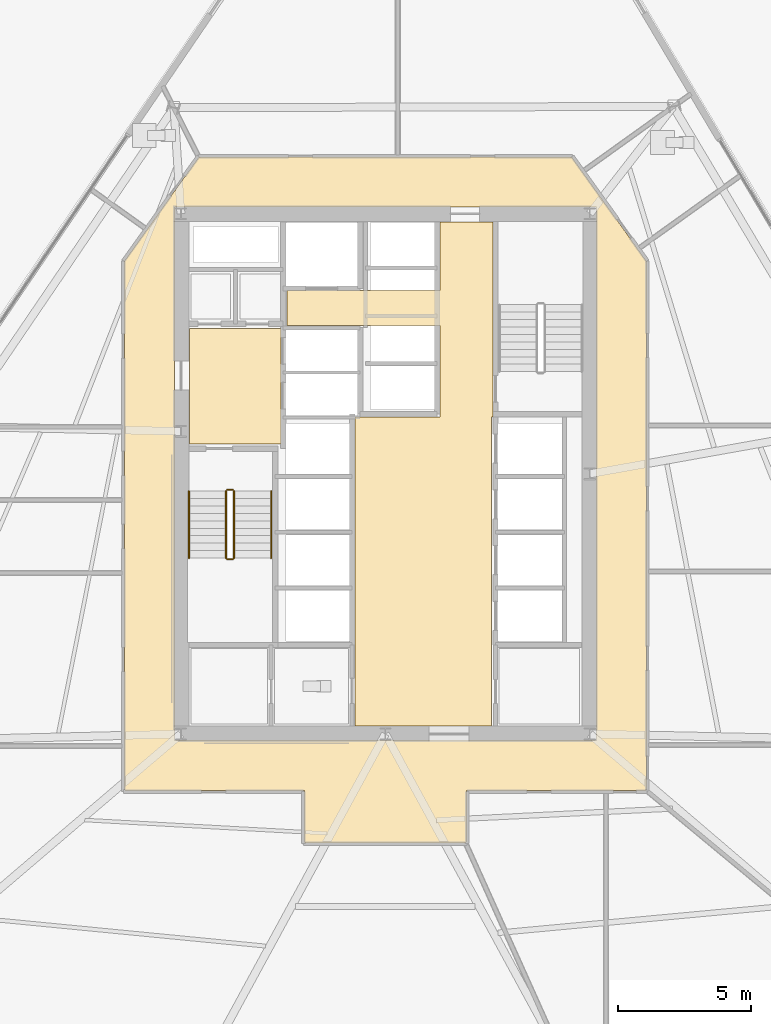
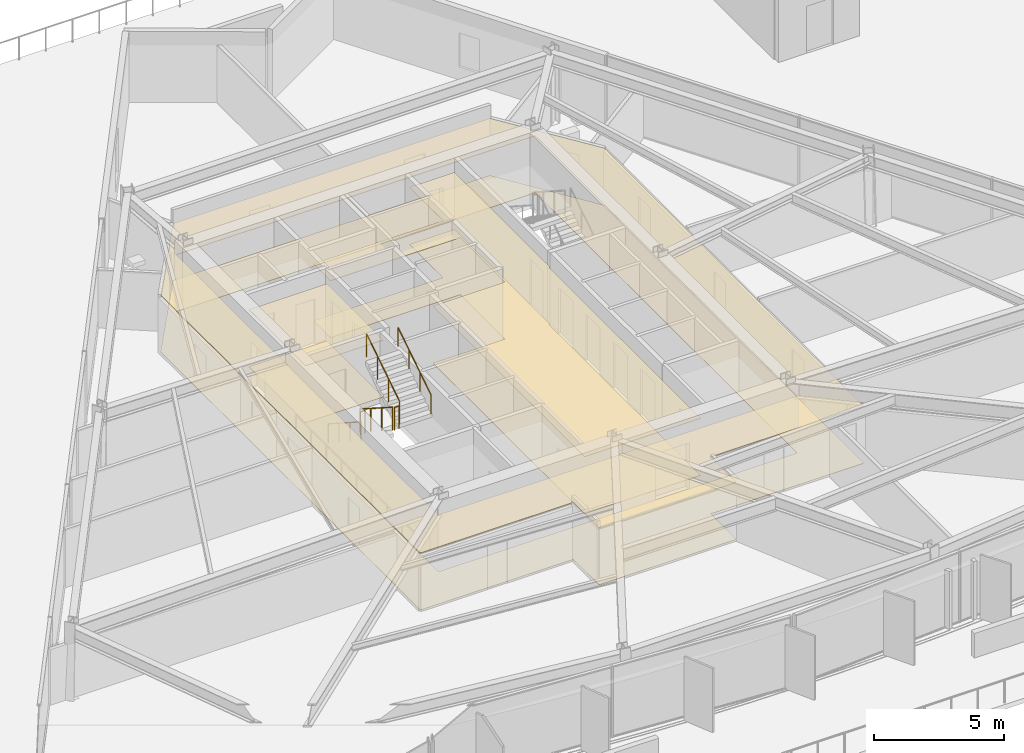
# One storey, part 15 of 19: 6 coverings, 6 railings.
"""IFC4 building model written with IfcOpenShell, lengths in metres."""

from ifc_helpers import new_model, si_unit, direction, frame, origin, origin_2d, place, context, subcontext, project, spatial, polyline, circle, outline, extrude, material, layer, layer_set, type_object, element, save


model = new_model("IFC4")

# Units and contexts
model_context = context("Model", 3, precision=1e-05, world=origin(), true_north=direction((0.0, 1.0)))
body_context = subcontext(model_context, "Body", "Model", "MODEL_VIEW")
ifc_project = project(units=[si_unit("LENGTHUNIT", "METRE"), si_unit("AREAUNIT", "SQUARE_METRE"), si_unit("VOLUMEUNIT", "CUBIC_METRE"), si_unit("PLANEANGLEUNIT", "RADIAN"), si_unit("MASSUNIT", "GRAM", prefix="KILO")], contexts=[model_context])

# Site, building, storey
site_placement = place(None, origin())
site = spatial("IfcSite", under=ifc_project, at=site_placement, CompositionType="ELEMENT")
building_placement = place(site_placement, origin())
building = spatial("IfcBuilding", under=site, at=building_placement, Name="Savorim Split Tower", CompositionType="ELEMENT")
storey_placement = place(building_placement, frame((0.0, 0.0, 26.39990234375)))
storey = spatial("IfcBuildingStorey", under=building, at=storey_placement, Name="L06", CompositionType="ELEMENT", Elevation=26.39990234375)

# Coverings
ifc_material_1 = material(Name="Mineral Fibre Acoustic Ceiling")
ifc_layer_1 = layer(ifc_material_1, 0.02490234375)
ifc_layer_set_1 = layer_set([ifc_layer_1], Name="COV-CEIL-25")
covering_type_1 = type_object("IfcCoveringType", Name="COV-CEIL-25", PredefinedType="CEILING", material=ifc_layer_set_1)
covering_1_placement = place(storey_placement, frame((0.0, 0.0, 2.670166015625)))
element("IfcCovering", 1, at=covering_1_placement, inside=storey, type_object=covering_type_1, Name="L06 Firefighting Lift Lobby Acoustic Ceiling", PredefinedType="CEILING", context=body_context, shape_type="SweptSolid", body=[
    extrude(outline(polyline([(-7.3798828125, 5.8701171875), (-7.3798828125, 1.530029296875), (-3.929931640625, 1.530029296875), (-3.929931640625, 5.8701171875), (-7.3798828125, 5.8701171875)])), origin(), (0.0, 0.0, 1.0), 0.02490234375),
])
covering_2_placement = place(storey_placement, frame((0.0, 0.0, 2.670166015625)))
element("IfcCovering", 2, at=covering_2_placement, inside=storey, type_object=covering_type_1, Name="L06 Lift Lobby Acoustic Ceiling", PredefinedType="CEILING", context=body_context, shape_type="SweptSolid", body=[
    extrude(outline(polyline([(2.050048828125, 2.550048828125), (-1.14990234375, 2.550048828125), (-1.14990234375, -9.10009765625), (4.0, -9.10009765625), (4.0, 2.550048828125), (4.050048828125, 2.550048828125), (4.050048828125, 5.97998046875), (4.050048828125, 7.300048828125), (4.050048828125, 9.8798828125), (2.050048828125, 9.8798828125), (2.050048828125, 7.300048828125), (-3.699951171875, 7.300048828125), (-3.699951171875, 5.97998046875), (2.050048828125, 5.97998046875), (2.050048828125, 2.550048828125)])), origin(), (0.0, 0.0, 1.0), 0.02490234375),
])
covering_3_placement = place(storey_placement, frame((0.0, 0.0, 2.670166015625)))
element("IfcCovering", 3, at=covering_3_placement, inside=storey, type_object=covering_type_1, Name="L06 Corridor Acoustic Ceiling", PredefinedType="CEILING", context=body_context, shape_type="SweptSolid", body=[
    extrude(outline(polyline([(7.009521484375, 12.3291015625), (7.004638671875, 12.329833984375), (7.0, 12.330078125), (-7.0, 12.330078125), (-7.004638671875, 12.329833984375), (-7.009521484375, 12.3291015625), (-7.013916015625, 12.327880859375), (-7.0185546875, 12.326416015625), (-7.022705078125, 12.324462890625), (-7.027099609375, 12.322021484375), (-7.03076171875, 12.3193359375), (-7.034423828125, 12.31640625), (-7.03759765625, 12.312744140625), (-7.04052734375, 12.30908203125), (-9.820556640625, 8.42919921875), (-9.823486328125, 8.4248046875), (-9.82568359375, 8.420166015625), (-9.82763671875, 8.415283203125), (-9.828857421875, 8.410400390625), (-9.82958984375, 8.4052734375), (-9.830078125, 8.39990234375), (-9.830078125, -11.47998046875), (-9.829833984375, -11.48486328125), (-9.8291015625, -11.48974609375), (-9.827880859375, -11.494384765625), (-9.826171875, -11.4990234375), (-9.82421875, -11.503662109375), (-9.821533203125, -11.5078125), (-9.818603515625, -11.51171875), (-9.8154296875, -11.515380859375), (-9.811767578125, -11.518798828125), (-9.807861328125, -11.521484375), (-9.8037109375, -11.524169921875), (-9.799072265625, -11.526123046875), (-9.79443359375, -11.52783203125), (-9.789794921875, -11.529052734375), (-9.784912109375, -11.52978515625), (-9.780029296875, -11.530029296875), (-3.050048828125, -11.530029296875), (-3.050048828125, -13.449951171875), (-3.0498046875, -13.454833984375), (-3.049072265625, -13.459716796875), (-3.0478515625, -13.464599609375), (-3.046142578125, -13.468994140625), (-3.044189453125, -13.4736328125), (-3.04150390625, -13.477783203125), (-3.038818359375, -13.481689453125), (-3.035400390625, -13.4853515625), (-3.03173828125, -13.48876953125), (-3.02783203125, -13.49169921875), (-3.023681640625, -13.494140625), (-3.01904296875, -13.49609375), (-3.014404296875, -13.497802734375), (-3.009765625, -13.4990234375), (-3.0048828125, -13.499755859375), (-3.0, -13.5), (3.0, -13.5), (3.0048828125, -13.499755859375), (3.009765625, -13.4990234375), (3.014404296875, -13.497802734375), (3.01904296875, -13.49609375), (3.023681640625, -13.494140625), (3.02783203125, -13.49169921875), (3.03173828125, -13.48876953125), (3.035400390625, -13.4853515625), (3.038818359375, -13.481689453125), (3.04150390625, -13.477783203125), (3.044189453125, -13.4736328125), (3.046142578125, -13.468994140625), (3.0478515625, -13.464599609375), (3.049072265625, -13.459716796875), (3.0498046875, -13.454833984375), (3.050048828125, -13.449951171875), (3.050048828125, -11.530029296875), (9.780029296875, -11.530029296875), (9.784912109375, -11.52978515625), (9.789794921875, -11.529052734375), (9.79443359375, -11.52783203125), (9.799072265625, -11.526123046875), (9.8037109375, -11.524169921875), (9.807861328125, -11.521484375), (9.811767578125, -11.518798828125), (9.8154296875, -11.515380859375), (9.818603515625, -11.51171875), (9.821533203125, -11.5078125), (9.82421875, -11.503662109375), (9.826171875, -11.4990234375), (9.827880859375, -11.494384765625), (9.8291015625, -11.48974609375), (9.829833984375, -11.48486328125), (9.830078125, -11.47998046875), (9.830078125, 8.39990234375), (9.82958984375, 8.4052734375), (9.828857421875, 8.410400390625), (9.82763671875, 8.415283203125), (9.82568359375, 8.420166015625), (9.823486328125, 8.4248046875), (9.820556640625, 8.42919921875), (7.04052734375, 12.30908203125), (7.03759765625, 12.312744140625), (7.034423828125, 12.31640625), (7.03076171875, 12.3193359375), (7.027099609375, 12.322021484375), (7.022705078125, 12.324462890625), (7.0185546875, 12.326416015625), (7.013916015625, 12.327880859375), (7.009521484375, 12.3291015625)]), holes=[polyline([(-7.949951171875, 10.449951171875), (-7.949951171875, -9.64990234375), (7.949951171875, -9.64990234375), (7.949951171875, 10.449951171875), (-7.949951171875, 10.449951171875)])]), origin(), (0.0, 0.0, 1.0), 0.02490234375),
])
ifc_material_2 = material(Name="Porcelain Stoneware Flooring", Category="masonry")
ifc_layer_2 = layer(ifc_material_2, 0.02001953125)
ifc_layer_set_2 = layer_set([ifc_layer_2], Name="COV-FLOR-20")
covering_type_2 = type_object("IfcCoveringType", Name="COV-FLOR-20", PredefinedType="FLOORING", material=ifc_layer_set_2)
covering_4_placement = place(storey_placement, origin())
element("IfcCovering", 4, at=covering_4_placement, inside=storey, type_object=covering_type_2, Name="L06 Firefighting Lift Lobby Porcelain Flooring", PredefinedType="FLOORING", context=body_context, shape_type="SweptSolid", body=[
    extrude(outline(polyline([(-7.3798828125, 5.8701171875), (-7.3798828125, 1.530029296875), (-3.929931640625, 1.530029296875), (-3.929931640625, 5.8701171875), (-7.3798828125, 5.8701171875)])), origin(), (0.0, 0.0, 1.0), 0.02001953125),
])
covering_5_placement = place(storey_placement, origin())
element("IfcCovering", 5, at=covering_5_placement, inside=storey, type_object=covering_type_2, Name="L06 Lift Lobby Porcelain Flooring", PredefinedType="FLOORING", context=body_context, shape_type="SweptSolid", body=[
    extrude(outline(polyline([(2.050048828125, 2.550048828125), (-1.14990234375, 2.550048828125), (-1.14990234375, -9.10009765625), (4.0, -9.10009765625), (4.0, 2.550048828125), (4.050048828125, 2.550048828125), (4.050048828125, 5.97998046875), (4.050048828125, 7.300048828125), (4.050048828125, 9.8798828125), (2.050048828125, 9.8798828125), (2.050048828125, 7.300048828125), (-3.699951171875, 7.300048828125), (-3.699951171875, 5.97998046875), (2.050048828125, 5.97998046875), (2.050048828125, 2.550048828125)])), origin(), (0.0, 0.0, 1.0), 0.02001953125),
])
covering_6_placement = place(storey_placement, origin())
element("IfcCovering", 6, at=covering_6_placement, inside=storey, type_object=covering_type_2, Name="L06 Corridor Porcelain Flooring", PredefinedType="FLOORING", context=body_context, shape_type="SweptSolid", body=[
    extrude(outline(polyline([(7.009521484375, 12.3291015625), (7.004638671875, 12.329833984375), (7.0, 12.330078125), (-7.0, 12.330078125), (-7.004638671875, 12.329833984375), (-7.009521484375, 12.3291015625), (-7.013916015625, 12.327880859375), (-7.0185546875, 12.326416015625), (-7.022705078125, 12.324462890625), (-7.027099609375, 12.322021484375), (-7.03076171875, 12.3193359375), (-7.034423828125, 12.31640625), (-7.03759765625, 12.312744140625), (-7.04052734375, 12.30908203125), (-9.820556640625, 8.42919921875), (-9.823486328125, 8.4248046875), (-9.82568359375, 8.420166015625), (-9.82763671875, 8.415283203125), (-9.828857421875, 8.410400390625), (-9.82958984375, 8.4052734375), (-9.830078125, 8.39990234375), (-9.830078125, -11.47998046875), (-9.829833984375, -11.48486328125), (-9.8291015625, -11.48974609375), (-9.827880859375, -11.494384765625), (-9.826171875, -11.4990234375), (-9.82421875, -11.503662109375), (-9.821533203125, -11.5078125), (-9.818603515625, -11.51171875), (-9.8154296875, -11.515380859375), (-9.811767578125, -11.518798828125), (-9.807861328125, -11.521484375), (-9.8037109375, -11.524169921875), (-9.799072265625, -11.526123046875), (-9.79443359375, -11.52783203125), (-9.789794921875, -11.529052734375), (-9.784912109375, -11.52978515625), (-9.780029296875, -11.530029296875), (-3.050048828125, -11.530029296875), (-3.050048828125, -13.449951171875), (-3.0498046875, -13.454833984375), (-3.049072265625, -13.459716796875), (-3.0478515625, -13.464599609375), (-3.046142578125, -13.468994140625), (-3.044189453125, -13.4736328125), (-3.04150390625, -13.477783203125), (-3.038818359375, -13.481689453125), (-3.035400390625, -13.4853515625), (-3.03173828125, -13.48876953125), (-3.02783203125, -13.49169921875), (-3.023681640625, -13.494140625), (-3.01904296875, -13.49609375), (-3.014404296875, -13.497802734375), (-3.009765625, -13.4990234375), (-3.0048828125, -13.499755859375), (-3.0, -13.5), (3.0, -13.5), (3.0048828125, -13.499755859375), (3.009765625, -13.4990234375), (3.014404296875, -13.497802734375), (3.01904296875, -13.49609375), (3.023681640625, -13.494140625), (3.02783203125, -13.49169921875), (3.03173828125, -13.48876953125), (3.035400390625, -13.4853515625), (3.038818359375, -13.481689453125), (3.04150390625, -13.477783203125), (3.044189453125, -13.4736328125), (3.046142578125, -13.468994140625), (3.0478515625, -13.464599609375), (3.049072265625, -13.459716796875), (3.0498046875, -13.454833984375), (3.050048828125, -13.449951171875), (3.050048828125, -11.530029296875), (9.780029296875, -11.530029296875), (9.784912109375, -11.52978515625), (9.789794921875, -11.529052734375), (9.79443359375, -11.52783203125), (9.799072265625, -11.526123046875), (9.8037109375, -11.524169921875), (9.807861328125, -11.521484375), (9.811767578125, -11.518798828125), (9.8154296875, -11.515380859375), (9.818603515625, -11.51171875), (9.821533203125, -11.5078125), (9.82421875, -11.503662109375), (9.826171875, -11.4990234375), (9.827880859375, -11.494384765625), (9.8291015625, -11.48974609375), (9.829833984375, -11.48486328125), (9.830078125, -11.47998046875), (9.830078125, 8.39990234375), (9.82958984375, 8.4052734375), (9.828857421875, 8.410400390625), (9.82763671875, 8.415283203125), (9.82568359375, 8.420166015625), (9.823486328125, 8.4248046875), (9.820556640625, 8.42919921875), (7.04052734375, 12.30908203125), (7.03759765625, 12.312744140625), (7.034423828125, 12.31640625), (7.03076171875, 12.3193359375), (7.027099609375, 12.322021484375), (7.022705078125, 12.324462890625), (7.0185546875, 12.326416015625), (7.013916015625, 12.327880859375), (7.009521484375, 12.3291015625)]), holes=[polyline([(-7.949951171875, 10.449951171875), (-7.949951171875, -9.64990234375), (7.949951171875, -9.64990234375), (7.949951171875, 10.449951171875), (-7.949951171875, 10.449951171875)])]), origin(), (0.0, 0.0, 1.0), 0.02001953125),
])

# Railings
ifc_material_3 = material(Name="Galvanised Painted Steel Balustrade", Category="steel")
railing_type_1 = type_object("IfcRailingType", Name="RLG-HR-900", PredefinedType="HANDRAIL", material=ifc_material_3)
railing_1_placement = place(storey_placement, frame((-7.39990234375, -0.25, 0.18017578125)))
element("IfcRailing", 7, at=railing_1_placement, inside=storey, type_object=railing_type_1, Name="L06 ST-1 stair handrail 1", PredefinedType="HANDRAIL", context=body_context, shape_type="SweptSolid", body=[
    extrude(circle(Radius=0.02392578125, at=origin_2d()), frame((0.0, 0.0, 0.8759765625), z_axis=(0.0, -0.841199657755, 0.540724639528), x_axis=(1.0, 0.0, 0.0)), (0.0, 0.0, 1.0), 2.995849609375),
    extrude(circle(Radius=0.02099609375, at=origin_2d()), origin(), (0.0, 0.0, 1.0), 0.851806640625),
    extrude(circle(Radius=0.02099609375, at=origin_2d()), frame((0.0, -0.840087890625, 0.5400390625)), (0.0, 0.0, 1.0), 0.851806640625),
    extrude(circle(Radius=0.02099609375, at=origin_2d()), frame((0.0, -1.679931640625, 1.079833984375)), (0.0, 0.0, 1.0), 0.851806640625),
    extrude(circle(Radius=0.02099609375, at=origin_2d()), frame((0.0, -2.52001953125, 1.619873046875)), (0.0, 0.0, 1.0), 0.851806640625),
])
railing_2_placement = place(storey_placement, frame((-4.300048828125, -2.77001953125, 1.97998046875)))
element("IfcRailing", 8, at=railing_2_placement, inside=storey, type_object=railing_type_1, Name="L06 ST-1 stair handrail 2", PredefinedType="HANDRAIL", context=body_context, shape_type="SweptSolid", body=[
    extrude(circle(Radius=0.02392578125, at=origin_2d()), frame((0.0, 0.0, 0.8759765625), z_axis=(0.0, 0.841162588446, 0.540782303519), x_axis=(-1.0, 0.0, 0.0)), (0.0, 0.0, 1.0), 2.995849609375),
    extrude(circle(Radius=0.02099609375, at=origin_2d()), origin(), (0.0, 0.0, 1.0), 0.851806640625),
    extrude(circle(Radius=0.02099609375, at=origin_2d()), frame((0.0, 0.840087890625, 0.5400390625)), (0.0, 0.0, 1.0), 0.851806640625),
    extrude(circle(Radius=0.02099609375, at=origin_2d()), frame((0.0, 1.679931640625, 1.080078125)), (0.0, 0.0, 1.0), 0.851806640625),
    extrude(circle(Radius=0.02099609375, at=origin_2d()), frame((0.0, 2.52001953125, 1.6201171875)), (0.0, 0.0, 1.0), 0.851806640625),
])
railing_type_2 = type_object("IfcRailingType", Name="RLG-STG-1100", PredefinedType="BALUSTRADE", material=ifc_material_3)
railing_3_placement = place(storey_placement, frame((-6.0, -0.25, 0.18017578125)))
element("IfcRailing", 9, at=railing_3_placement, inside=storey, type_object=railing_type_2, Name="L06 ST-1 stair guard 1", PredefinedType="BALUSTRADE", context=body_context, shape_type="SweptSolid", body=[
    extrude(circle(Radius=0.02392578125, at=origin_2d()), frame((0.0, 0.0, 1.076171875), z_axis=(0.0, -0.841199657755, 0.540724639528), x_axis=(1.0, 0.0, 0.0)), (0.0, 0.0, 1.0), 2.995849609375),
    extrude(circle(Radius=0.02099609375, at=origin_2d()), origin(), (0.0, 0.0, 1.0), 1.052001953125),
    extrude(circle(Radius=0.02099609375, at=origin_2d()), frame((0.0, -0.840087890625, 0.5400390625)), (0.0, 0.0, 1.0), 1.052001953125),
    extrude(circle(Radius=0.02099609375, at=origin_2d()), frame((0.0, -1.679931640625, 1.079833984375)), (0.0, 0.0, 1.0), 1.052001953125),
    extrude(circle(Radius=0.02099609375, at=origin_2d()), frame((0.0, -2.52001953125, 1.619873046875)), (0.0, 0.0, 1.0), 1.052001953125),
])
railing_4_placement = place(storey_placement, frame((-5.949951171875, -2.820068359375, 1.800048828125)))
element("IfcRailing", 10, at=railing_4_placement, inside=storey, type_object=railing_type_2, Name="L06 ST-1 stair guard 2", PredefinedType="BALUSTRADE", context=body_context, shape_type="SweptSolid", body=[
    extrude(circle(Radius=0.02392578125, at=origin_2d()), frame((0.0, 0.0, 1.076171875), z_axis=(1.0, 0.0, 0.0), x_axis=(0.0, 1.0, 0.0)), (0.0, 0.0, 1.0), 0.199951171875),
    extrude(circle(Radius=0.02099609375, at=origin_2d()), origin(), (0.0, 0.0, 1.0), 1.052001953125),
    extrude(circle(Radius=0.02099609375, at=origin_2d()), frame((0.199951171875, 0.0, 0.0)), (0.0, 0.0, 1.0), 1.052001953125),
])
railing_5_placement = place(storey_placement, frame((-5.699951171875, -2.77001953125, 1.97998046875)))
element("IfcRailing", 11, at=railing_5_placement, inside=storey, type_object=railing_type_2, Name="L06 ST-1 stair guard 3", PredefinedType="BALUSTRADE", context=body_context, shape_type="SweptSolid", body=[
    extrude(circle(Radius=0.02392578125, at=origin_2d()), frame((0.0, 0.0, 1.076171875), z_axis=(0.0, 0.841162588446, 0.540782303519), x_axis=(-1.0, 0.0, 0.0)), (0.0, 0.0, 1.0), 2.995849609375),
    extrude(circle(Radius=0.02099609375, at=origin_2d()), origin(), (0.0, 0.0, 1.0), 1.052001953125),
    extrude(circle(Radius=0.02099609375, at=origin_2d()), frame((0.0, 0.840087890625, 0.5400390625)), (0.0, 0.0, 1.0), 1.052001953125),
    extrude(circle(Radius=0.02099609375, at=origin_2d()), frame((0.0, 1.679931640625, 1.080078125)), (0.0, 0.0, 1.0), 1.052001953125),
    extrude(circle(Radius=0.02099609375, at=origin_2d()), frame((0.0, 2.52001953125, 1.6201171875)), (0.0, 0.0, 1.0), 1.052001953125),
])
railing_6_placement = place(storey_placement, frame((-5.949951171875, -0.199951171875, 0.0)))
element("IfcRailing", 12, at=railing_6_placement, inside=storey, type_object=railing_type_2, Name="L06 ST-1 stair guard 4", PredefinedType="BALUSTRADE", context=body_context, shape_type="SweptSolid", body=[
    extrude(circle(Radius=0.02392578125, at=origin_2d()), frame((0.0, 0.0, 1.076171875), z_axis=(1.0, 0.0, 0.0), x_axis=(0.0, 1.0, 0.0)), (0.0, 0.0, 1.0), 0.199951171875),
    extrude(circle(Radius=0.02099609375, at=origin_2d()), origin(), (0.0, 0.0, 1.0), 1.052001953125),
    extrude(circle(Radius=0.02099609375, at=origin_2d()), frame((0.199951171875, 0.0, 0.0)), (0.0, 0.0, 1.0), 1.052001953125),
])

save(model, "model.ifc")
